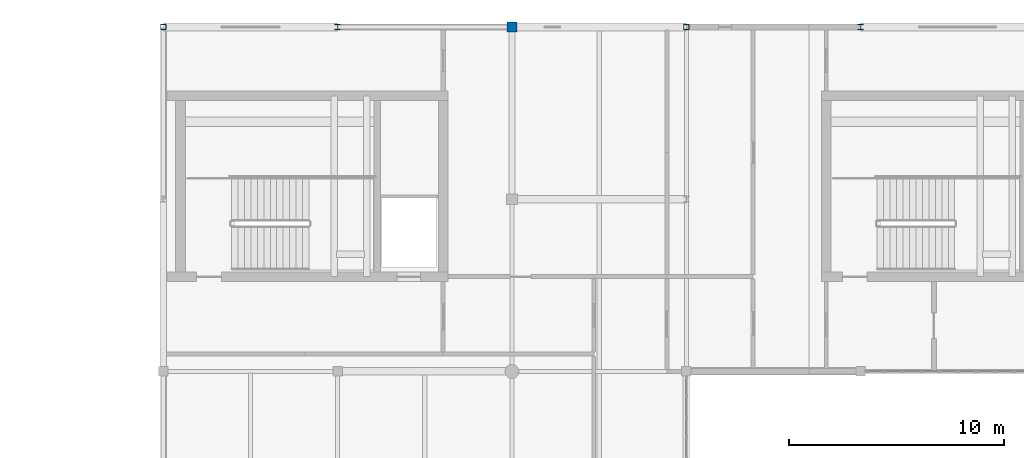
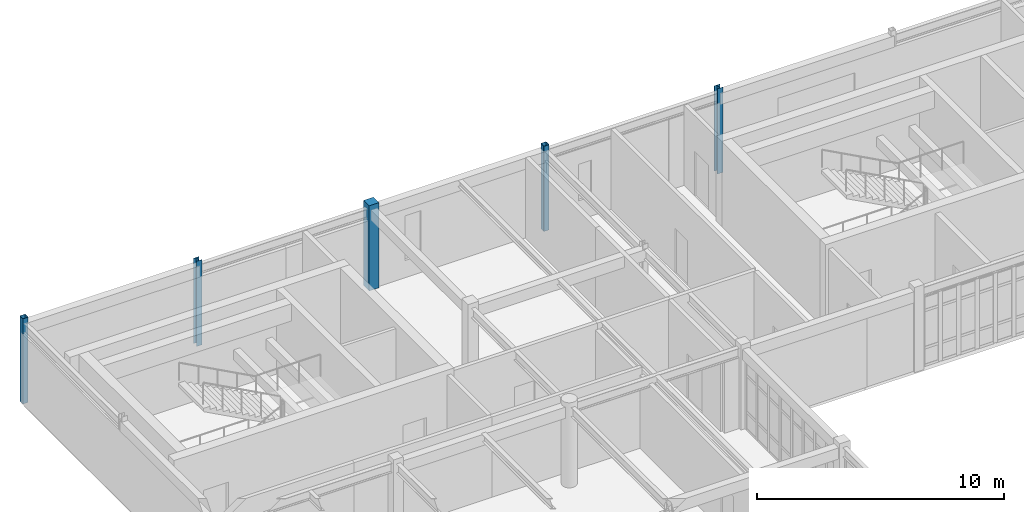
# One storey, part 4 of 36: 5 columns.
"""IFC4 building model written with IfcOpenShell, lengths in metres."""

from ifc_helpers import new_model, si_unit, direction, frame, origin, origin_2d, place, context, subcontext, project, spatial, rectangle, hollow_rectangle, i_section, extrude, material, material_profile, profile_set, type_object, element, save


model = new_model("IFC4")

# Units and contexts
model_context = context("Model", 3, precision=1e-05, world=origin(), true_north=direction((0.0, 1.0)))
body_context = subcontext(model_context, "Body", "Model", "MODEL_VIEW")
ifc_project = project(units=[si_unit("LENGTHUNIT", "METRE"), si_unit("AREAUNIT", "SQUARE_METRE"), si_unit("VOLUMEUNIT", "CUBIC_METRE"), si_unit("PLANEANGLEUNIT", "RADIAN"), si_unit("MASSUNIT", "GRAM", prefix="KILO")], contexts=[model_context])

# Site, building, storey
site_placement = place(None, origin())
site = spatial("IfcSite", under=ifc_project, at=site_placement, CompositionType="ELEMENT")
building_placement = place(site_placement, origin())
building = spatial("IfcBuilding", under=site, at=building_placement, Name="Tarnveldt Square Police Headquarters", CompositionType="ELEMENT")
storey_placement = place(building_placement, frame((0.0, 0.0, 24.89990234375)))
storey = spatial("IfcBuildingStorey", under=building, at=storey_placement, Name="L05", CompositionType="ELEMENT", Elevation=24.89990234375)

# Columns
ifc_material_1 = material(Name="Steel 350W", Category="steel")
ifc_material_profile_1 = material_profile(ifc_material_1, hollow_rectangle(XDim=0.25390625, YDim=0.25390625, WallThickness=0.0126953125, InnerFilletRadius=0.0126953125, OuterFilletRadius=0.025390625, at=origin_2d()), Name="HSS254x254x13")
ifc_profile_set_1 = profile_set([ifc_material_profile_1], Name="Steel 350W")
column_type_1 = type_object("IfcColumnType", Name="COL-HSS254x13", PredefinedType="COLUMN", material=ifc_profile_set_1)
for number, where, z_axis, x_axis, name in (
    (1, (16.199951171875, 112.0, 0.0), (0.0, 0.0, 1.0), (1.0, 0.0, 0.0), "L05 Column 027"),
    (2, (40.5, 112.0, 0.0), (0.0, 0.0, 1.0), (1.0, 0.0, 0.0), "L05 Column 069"),
):
    element("IfcColumn", number, at=place(storey_placement, frame(where, z_axis=z_axis, x_axis=x_axis)), inside=storey, type_object=column_type_1, Name=name, PredefinedType="COLUMN", context=body_context, shape_type="SweptSolid", body=[
        extrude(hollow_rectangle(XDim=0.25390625, YDim=0.25390625, WallThickness=0.0126953125, InnerFilletRadius=0.0126953125, OuterFilletRadius=0.025390625, at=origin_2d()), origin(), (0.0, 0.0, 1.0), 4.2001953125),
    ])
ifc_material_2 = material(Name="Concrete 40 MPa", Category="concrete")
ifc_material_profile_2 = material_profile(ifc_material_2, rectangle(XDim=0.449951171875, YDim=0.449951171875, at=origin_2d()), Name="RC-C450x450")
ifc_profile_set_2 = profile_set([ifc_material_profile_2], Name="Concrete 40 MPa")
column_type_2 = type_object("IfcColumnType", Name="COL-RC450", PredefinedType="COLUMN", material=ifc_profile_set_2)
column_placement = place(storey_placement, frame((32.39990234375, 112.0, 0.0), z_axis=(0.0, 0.0, 1.0), x_axis=(1.0, 0.0, 0.0)))
element("IfcColumn", 3, at=column_placement, inside=storey, type_object=column_type_2, Name="L05 Column 055", PredefinedType="COLUMN", context=body_context, shape_type="SweptSolid", body=[
    extrude(rectangle(XDim=0.449951171875, YDim=0.449951171875, at=origin_2d()), origin(), (0.0, 0.0, 1.0), 4.2001953125),
])
ifc_material_profile_3 = material_profile(ifc_material_1, i_section(OverallWidth=0.256103515625, OverallDepth=0.260009765625, WebThickness=0.0107421875, FlangeThickness=0.017333984375, FilletRadius=0.012939453125, at=origin_2d()), Name="W250x89")
ifc_profile_set_3 = profile_set([ifc_material_profile_3], Name="Steel 350W")
column_type_3 = type_object("IfcColumnType", Name="COL-W250x89", PredefinedType="COLUMN", material=ifc_profile_set_3)
for number, where, z_axis, x_axis, name in (
    (4, (24.300048828125, 112.0, 0.0), (0.0, 0.0, 1.0), (1.0, 0.0, 0.0), "L05 Column 038"),
    (5, (48.60009765625, 112.0, 0.0), (0.0, 0.0, 1.0), (1.0, 0.0, 0.0), "L05 Column 080"),
):
    element("IfcColumn", number, at=place(storey_placement, frame(where, z_axis=z_axis, x_axis=x_axis)), inside=storey, type_object=column_type_3, Name=name, PredefinedType="COLUMN", context=body_context, shape_type="SweptSolid", body=[
        extrude(i_section(OverallWidth=0.256103515625, OverallDepth=0.260009765625, WebThickness=0.0107421875, FlangeThickness=0.017333984375, FilletRadius=0.012939453125, at=origin_2d()), origin(), (0.0, 0.0, 1.0), 4.2001953125),
    ])

save(model, "model.ifc")
